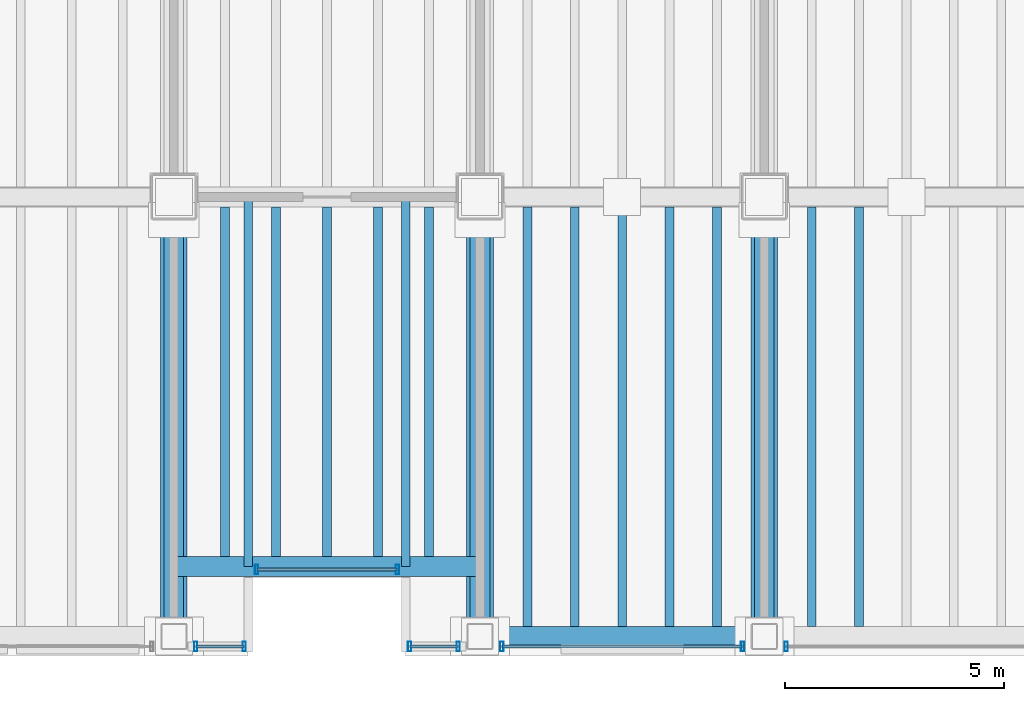
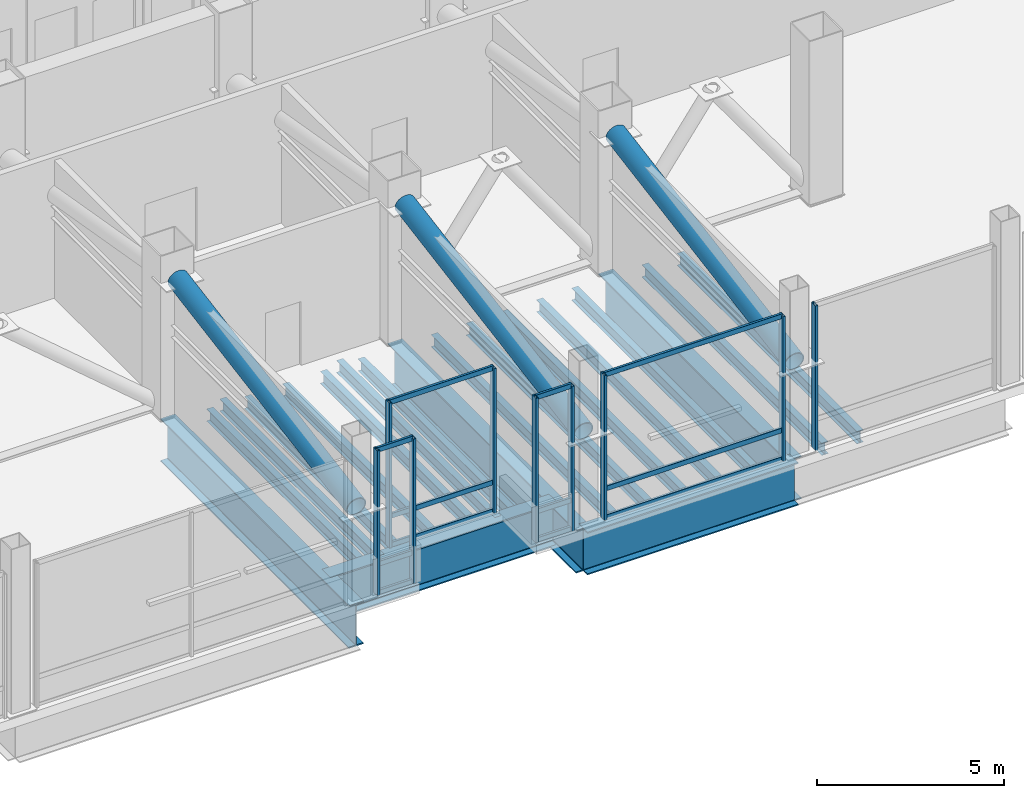
# One storey, part 5 of 20: 24 members, 19 beams, 5 elements without a shape of their own.
"""IFC4 building model written with IfcOpenShell, lengths in metres."""

import ifcopenshell
import ifcopenshell.guid

model = None  # the IFC model being written
_history = None  # IfcOwnerHistory: only IFC2X3 demands one
_inside = {}  # id of a spatial element -> (the spatial element, [elements in it])
_under = {}  # id of a project, library or spatial element -> (it, [spatial elements below it])
_declared = {}  # id of a project -> (the project, [libraries it declares])
_typed = {}  # id of a type object -> (the type object, [elements of that type])
_made_of = {}  # id of a material, layer set ... -> (it, [elements and type objects made of it])


def new_model(schema):
    """Start an empty IFC model of exactly this schema.

    Asked for "IFC4X3", IfcOpenShell would pick the latest addendum, in which some entities
    have other attributes; the version numbers below select the first issue.
    IFC2X3 requires an IfcOwnerHistory on every rooted entity: one is made here for all.
    """
    global model, _history
    if schema == "IFC4X3":
        model = ifcopenshell.file(schema_version=(4, 3, 0, 0))
    else:
        model = ifcopenshell.file(schema=schema)
    _inside.clear()
    _under.clear()
    _declared.clear()
    _typed.clear()
    _made_of.clear()
    _history = None
    if model.schema == "IFC2X3":
        org = make("IfcOrganization", Name="unknown")
        user = make(
            "IfcPersonAndOrganization",
            ThePerson=make("IfcPerson", FamilyName="unknown"),
            TheOrganization=org,
        )
        app = make(
            "IfcApplication",
            ApplicationDeveloper=org,
            Version="unknown",
            ApplicationFullName="unknown",
            ApplicationIdentifier="unknown",
        )
        _history = make(
            "IfcOwnerHistory",
            OwningUser=user,
            OwningApplication=app,
            ChangeAction="ADDED",
            CreationDate=0,
        )
    return model


def make(cls, **values):
    """One entity of the class cls with the attributes given. An attribute that is None is left unset."""
    return model.create_entity(
        cls, **{name: value for name, value in values.items() if value is not None}
    )


def rooted(cls, **values):
    """An entity with a GlobalId (a new one), such as an element, a storey or a relation."""
    return make(cls, GlobalId=ifcopenshell.guid.new(), OwnerHistory=_history, **values)


def si_unit(unit_type, name, prefix=None):
    """IfcSIUnit, for example si_unit("LENGTHUNIT", "METRE", prefix="MILLI")."""
    return make("IfcSIUnit", UnitType=unit_type, Prefix=prefix, Name=name)


def assignment(units):
    """IfcUnitAssignment: the units of a project."""
    return None if units is None else make("IfcUnitAssignment", Units=units)


def point(xyz):
    """IfcCartesianPoint."""
    return None if xyz is None else make("IfcCartesianPoint", Coordinates=xyz)


def direction(xyz):
    """IfcDirection."""
    return None if xyz is None else make("IfcDirection", DirectionRatios=xyz)


def frame(location, z_axis=None, x_axis=None):
    """IfcAxis2Placement3D, a coordinate frame: its origin and axes. An axis left out is left unset."""
    return make(
        "IfcAxis2Placement3D",
        Location=point(location),
        Axis=direction(z_axis),
        RefDirection=direction(x_axis),
    )


def frame_2d(location, x_axis=None):
    """IfcAxis2Placement2D, a coordinate frame in the plane: its origin and x axis."""
    return make(
        "IfcAxis2Placement2D", Location=point(location), RefDirection=direction(x_axis)
    )


def origin():
    """The frame at (0, 0, 0) with its axes left unset."""
    return frame((0.0, 0.0, 0.0))


def origin_2d():
    """The frame at (0, 0) in the plane with its x axis left unset."""
    return frame_2d((0.0, 0.0))


def place(relative_to, where):
    """IfcLocalPlacement: puts the frame where relative to a parent placement (None: the world)."""
    return make(
        "IfcLocalPlacement", PlacementRelTo=relative_to, RelativePlacement=where
    )


def context(
    kind, dimensions, precision=None, world=None, true_north=None, identifier=None
):
    """IfcGeometricRepresentationContext, for example the 3D "Model" context."""
    return make(
        "IfcGeometricRepresentationContext",
        ContextIdentifier=identifier,
        ContextType=kind,
        CoordinateSpaceDimension=dimensions,
        Precision=precision,
        WorldCoordinateSystem=world,
        TrueNorth=true_north,
    )


def subcontext(parent, identifier, kind, view, scale=None):
    """IfcGeometricRepresentationSubContext, for example "Body" below "Model"."""
    return make(
        "IfcGeometricRepresentationSubContext",
        ContextIdentifier=identifier,
        ContextType=kind,
        ParentContext=parent,
        TargetScale=scale,
        TargetView=view,
    )


def project(units=None, contexts=None):
    """IfcProject with its units and contexts."""
    return rooted(
        "IfcProject",
        Name="project",
        RepresentationContexts=contexts,
        UnitsInContext=assignment(units),
    )


def spatial(cls, under=None, at=None, **own):
    """A site, building, storey or space (cls), placed at a placement, below another one or the project."""
    s = rooted(cls, ObjectPlacement=at, **own)
    if under is not None:
        _under.setdefault(under.id(), (under, []))[1].append(s)
    return s


def profile(cls, at=None, kind="AREA", **sizes):
    """A parametric profile (cls). Its sizes go by their IFC names, for example OverallWidth=200.0."""
    return make(cls, ProfileType=kind, Position=at, **sizes)


def hollow_rectangle(**sizes):
    """IfcRectangleHollowProfileDef."""
    return profile("IfcRectangleHollowProfileDef", **sizes)


def hollow_circle(**sizes):
    """IfcCircleHollowProfileDef."""
    return profile("IfcCircleHollowProfileDef", **sizes)


def i_section(**sizes):
    """IfcIShapeProfileDef."""
    return profile("IfcIShapeProfileDef", **sizes)


def extrude(swept, where, along, depth):
    """IfcExtrudedAreaSolid: the profile swept, set in the frame where, extruded along a direction by depth."""
    return make(
        "IfcExtrudedAreaSolid",
        SweptArea=swept,
        Position=where,
        ExtrudedDirection=direction(along),
        Depth=depth,
    )


def shape(context_of_items, identifier, shape_type, items):
    """IfcShapeRepresentation: the items that make up one representation, for example the "Body"."""
    return make(
        "IfcShapeRepresentation",
        ContextOfItems=context_of_items,
        RepresentationIdentifier=identifier,
        RepresentationType=shape_type,
        Items=items,
    )


def material(Name=None, Category=None):
    """IfcMaterial."""
    return make("IfcMaterial", Name=Name, Category=Category)


def material_profile(
    of_material, cross_section, Name=None, Category=None, Priority=None
):
    """IfcMaterialProfile: a cross section and its material."""
    return make(
        "IfcMaterialProfile",
        Name=Name,
        Material=of_material,
        Profile=cross_section,
        Priority=Priority,
        Category=Category,
    )


def profile_set(profiles, Name=None, composite=None):
    """IfcMaterialProfileSet."""
    return make(
        "IfcMaterialProfileSet",
        Name=Name,
        MaterialProfiles=profiles,
        CompositeProfile=composite,
    )


def made_of(thing, what):
    """Note that an element or type object is made of a material, layer set ...; save() writes the relation."""
    if what is not None:
        _made_of.setdefault(what.id(), (what, []))[1].append(thing)
    return thing


def type_object(cls, material=None, **own):
    """A type object (cls), such as IfcWallType, which elements share."""
    return made_of(rooted(cls, **own), material)


def element(
    cls,
    number,
    at=None,
    inside=None,
    cuts=None,
    type_object=None,
    material=None,
    context=None,
    identifier="Body",
    shape_type=None,
    held_by="IfcProductDefinitionShape",
    body=None,
    shapes=None,
    **own,
):
    """One element of the class cls, such as IfcWall. Its Tag is "e" and its number.

    at: its placement. inside: the storey or other place that contains it. cuts: it is an
    opening in that element (IfcRelVoidsElement). A single representation is given by context,
    identifier, shape_type and body (its items); several are given by shapes. held_by: the class
    of the entity that holds the representations. save() writes the other relations.
    """
    e = rooted(cls, Tag="e%d" % number, ObjectPlacement=at, **own)
    if body is not None:
        shapes = [shape(context, identifier, shape_type, body)]
    if shapes is not None:
        e.Representation = make(held_by, Representations=shapes)
    if inside is not None:
        _inside.setdefault(inside.id(), (inside, []))[1].append(e)
    if cuts is not None:
        rooted(
            "IfcRelVoidsElement", RelatingBuildingElement=cuts, RelatedOpeningElement=e
        )
    if type_object is not None:
        _typed.setdefault(type_object.id(), (type_object, []))[1].append(e)
    return made_of(e, material)


def aggregate(whole, parts):
    """IfcRelAggregates: a whole, such as a stair, and the parts it consists of."""
    return rooted("IfcRelAggregates", RelatingObject=whole, RelatedObjects=parts)


def save(model, path):
    """Write the relations noted so far, then the file.

    IfcRelAggregates (storeys below a building ...), IfcRelContainedInSpatialStructure (elements
    in a storey), IfcRelDefinesByType, IfcRelAssociatesMaterial and IfcRelDeclares: one each for
    every whole, place, type object, material and project.
    """
    for whole, parts in _under.values():
        aggregate(whole, parts)
    for where, things in _inside.values():
        rooted(
            "IfcRelContainedInSpatialStructure",
            RelatedElements=things,
            RelatingStructure=where,
        )
    for kind, things in _typed.values():
        rooted("IfcRelDefinesByType", RelatedObjects=things, RelatingType=kind)
    for what, things in _made_of.values():
        rooted("IfcRelAssociatesMaterial", RelatedObjects=things, RelatingMaterial=what)
    for by, libraries in _declared.values():
        rooted("IfcRelDeclares", RelatingContext=by, RelatedDefinitions=libraries)
    model.write(path)


model = new_model("IFC4")

# Units and contexts
model_context = context("Model", 3, precision=1e-05, world=origin(), true_north=direction((0.0, 1.0)))
body_context = subcontext(model_context, "Body", "Model", "MODEL_VIEW")
ifc_project = project(units=[si_unit("LENGTHUNIT", "METRE"), si_unit("AREAUNIT", "SQUARE_METRE"), si_unit("VOLUMEUNIT", "CUBIC_METRE"), si_unit("PLANEANGLEUNIT", "RADIAN"), si_unit("MASSUNIT", "GRAM", prefix="KILO")], contexts=[model_context])

# Site, building, storey
site_placement = place(None, origin())
site = spatial("IfcSite", under=ifc_project, at=site_placement, CompositionType="ELEMENT")
building_placement = place(site_placement, origin())
building = spatial("IfcBuilding", under=site, at=building_placement, Name="Noeulbin Bourse Tower", CompositionType="ELEMENT")
storey_placement = place(building_placement, frame((0.0, 0.0, 100.60009765625)))
storey = spatial("IfcBuildingStorey", under=building, at=storey_placement, Name="L25", CompositionType="ELEMENT", Elevation=100.60009765625)

# Beams
ifc_material_1 = material(Name="Steel S355", Category="steel")
ifc_material_profile_1 = material_profile(ifc_material_1, i_section(OverallWidth=0.199951171875, OverallDepth=0.39990234375, WebThickness=0.008056640625, FlangeThickness=0.012939453125, FilletRadius=0.01611328125, at=origin_2d()), Name="H-400x200x8x13", Category="LoadBearing")
ifc_profile_set_1 = profile_set([ifc_material_profile_1], Name="Steel S355")
beam_type_1 = type_object("IfcBeamType", Name="BM-SEC-400", PredefinedType="BEAM", material=ifc_profile_set_1)
for number, where, z_axis, x_axis, name in (
    (1, (25.699951171875, 11.550048828125, -0.5), (0.0, 1.0, 0.0), (-1.0, 0.0, 0.0), "BM-L25-SRT-W"),
    (2, (29.300048828125, 11.550048828125, -0.5), (0.0, 1.0, 0.0), (-1.0, 0.0, 0.0), "BM-L25-SRT-E"),
):
    element("IfcBeam", number, at=place(storey_placement, frame(where, z_axis=z_axis, x_axis=x_axis)), inside=storey, type_object=beam_type_1, Name=name, PredefinedType="BEAM", context=body_context, shape_type="SweptSolid", body=[
        extrude(i_section(OverallWidth=0.199951171875, OverallDepth=0.39990234375, WebThickness=0.008056640625, FlangeThickness=0.012939453125, FilletRadius=0.01611328125, at=origin_2d()), origin(), (0.0, 0.0, 1.0), 8.449951171875),
    ])
for number, where, z_axis, x_axis, name in (
    (3, (25.166748046875, 11.77490234375, -0.5), (0.0, 1.0, 0.0), (-1.0, 0.0, 0.0), "Tower Composite Joist L25-25"),
    (4, (26.333251953125, 11.77490234375, -0.5), (0.0, 1.0, 0.0), (-1.0, 0.0, 0.0), "Tower Composite Joist L25-28"),
    (5, (27.5, 11.77490234375, -0.5), (0.0, 1.0, 0.0), (-1.0, 0.0, 0.0), "Tower Composite Joist L25-31"),
    (6, (28.666748046875, 11.77490234375, -0.5), (0.0, 1.0, 0.0), (-1.0, 0.0, 0.0), "Tower Composite Joist L25-34"),
    (7, (29.833251953125, 11.77490234375, -0.5), (0.0, 1.0, 0.0), (-1.0, 0.0, 0.0), "Tower Composite Joist L25-37"),
):
    element("IfcBeam", number, at=place(storey_placement, frame(where, z_axis=z_axis, x_axis=x_axis)), inside=storey, type_object=beam_type_1, Name=name, PredefinedType="BEAM", context=body_context, shape_type="SweptSolid", body=[
        extrude(i_section(OverallWidth=0.199951171875, OverallDepth=0.39990234375, WebThickness=0.008056640625, FlangeThickness=0.012939453125, FilletRadius=0.01611328125, at=origin_2d()), origin(), (0.0, 0.0, 1.0), 8.0),
    ])
for number, where, z_axis, x_axis, name in (
    (8, (32.083251953125, 10.175048828125, -0.5), (0.0, 1.0, 0.0), (-1.0, 0.0, 0.0), "Tower Composite Joist L25-40"),
    (9, (33.166748046875, 10.175048828125, -0.5), (0.0, 1.0, 0.0), (-1.0, 0.0, 0.0), "Tower Composite Joist L25-43"),
    (10, (34.25, 10.175048828125, -0.5), (0.0, 1.0, 0.0), (-1.0, 0.0, 0.0), "Tower Composite Joist L25-46"),
    (11, (35.333251953125, 10.175048828125, -0.5), (0.0, 1.0, 0.0), (-1.0, 0.0, 0.0), "Tower Composite Joist L25-49"),
    (12, (36.416748046875, 10.175048828125, -0.5), (0.0, 1.0, 0.0), (-1.0, 0.0, 0.0), "Tower Composite Joist L25-52"),
    (13, (38.583251953125, 10.175048828125, -0.5), (0.0, 1.0, 0.0), (-1.0, 0.0, 0.0), "Tower Composite Joist L25-55"),
    (14, (39.666748046875, 10.175048828125, -0.5), (0.0, 1.0, 0.0), (-1.0, 0.0, 0.0), "Tower Composite Joist L25-58"),
):
    element("IfcBeam", number, at=place(storey_placement, frame(where, z_axis=z_axis, x_axis=x_axis)), inside=storey, type_object=beam_type_1, Name=name, PredefinedType="BEAM", context=body_context, shape_type="SweptSolid", body=[
        extrude(i_section(OverallWidth=0.199951171875, OverallDepth=0.39990234375, WebThickness=0.008056640625, FlangeThickness=0.012939453125, FilletRadius=0.01611328125, at=origin_2d()), origin(), (0.0, 0.0, 1.0), 9.599853515625),
    ])
ifc_material_2 = material(Name="Steel S460", Category="steel")
ifc_material_profile_2 = material_profile(ifc_material_2, i_section(OverallWidth=0.449951171875, OverallDepth=1.39990234375, WebThickness=0.02392578125, FlangeThickness=0.0400390625, FilletRadius=0.02392578125, at=origin_2d()), Name="PG-1400x450x24x40", Category="LoadBearing")
ifc_profile_set_2 = profile_set([ifc_material_profile_2], Name="Steel S460")
beam_type_2 = type_object("IfcBeamType", Name="BM-TRF-1400", PredefinedType="USERDEFINED", material=ifc_profile_set_2)
for number, where, z_axis, x_axis, name in (
    (15, (24.0, 9.949951171875, -1.0), (0.0, 1.0, 0.0), (-1.0, 0.0, 0.0), "Tower Primary Girder NS L25-2.1"),
    (16, (31.0, 9.949951171875, -1.0), (0.0, 1.0, 0.0), (-1.0, 0.0, 0.0), "Tower Primary Girder NS L25-3.1"),
    (17, (37.5, 9.949951171875, -1.0), (0.0, 1.0, 0.0), (-1.0, 0.0, 0.0), "Tower Primary Girder NS L25-4.1"),
):
    element("IfcBeam", number, at=place(storey_placement, frame(where, z_axis=z_axis, x_axis=x_axis)), inside=storey, type_object=beam_type_2, Name=name, ObjectType="GIRDER", PredefinedType="USERDEFINED", context=body_context, shape_type="SweptSolid", body=[
        extrude(i_section(OverallWidth=0.449951171875, OverallDepth=1.39990234375, WebThickness=0.02392578125, FlangeThickness=0.0400390625, FilletRadius=0.02392578125, at=origin_2d()), origin(), (0.0, 0.0, 1.0), 10.050048828125),
    ])
beam_1_placement = place(storey_placement, frame((24.0, 11.550048828125, -1.0), z_axis=(1.0, 0.0, 0.0), x_axis=(0.0, 1.0, 0.0)))
element("IfcBeam", 18, at=beam_1_placement, inside=storey, type_object=beam_type_2, Name="South Recess Spandrel L25-2B", ObjectType="GIRDER", PredefinedType="USERDEFINED", context=body_context, shape_type="SweptSolid", body=[
    extrude(i_section(OverallWidth=0.449951171875, OverallDepth=1.39990234375, WebThickness=0.02392578125, FlangeThickness=0.0400390625, FilletRadius=0.02392578125, at=origin_2d()), origin(), (0.0, 0.0, 1.0), 7.0),
])
beam_2_placement = place(storey_placement, frame((31.0, 9.949951171875, -1.0), z_axis=(1.0, 0.0, 0.0), x_axis=(0.0, 1.0, 0.0)))
element("IfcBeam", 19, at=beam_2_placement, inside=storey, type_object=beam_type_2, Name="South Spandrel L25-3", ObjectType="GIRDER", PredefinedType="USERDEFINED", context=body_context, shape_type="SweptSolid", body=[
    extrude(i_section(OverallWidth=0.449951171875, OverallDepth=1.39990234375, WebThickness=0.02392578125, FlangeThickness=0.0400390625, FilletRadius=0.02392578125, at=origin_2d()), origin(), (0.0, 0.0, 1.0), 6.5),
])

# Curtain wall, members
ifc_material_3 = material(Name="Translucent Ceramic-Fritted Glass", Category="glass")
curtain_wall_type = type_object("IfcCurtainWallType", Name="CW-SYS-5", PredefinedType="NOTDEFINED", material=ifc_material_3)
curtain_wall_1_placement = place(storey_placement, origin())
curtain_wall_1 = element("IfcCurtainWall", 20, at=curtain_wall_1_placement, inside=storey, type_object=curtain_wall_type, Name="Unitised Curtain Wall CW-L25-SREC", PredefinedType="NOTDEFINED")
ifc_material_4 = material(Name="Anodised Aluminium 6063-T6", Category="aluminium")
ifc_material_profile_3 = material_profile(ifc_material_4, hollow_rectangle(XDim=0.074951171875, YDim=0.219970703125, WallThickness=0.0048828125, InnerFilletRadius=0.00244140625, OuterFilletRadius=0.0048828125, at=origin_2d()), Name="ALU-MULL-75x220x5", Category="LoadBearing")
ifc_profile_set_3 = profile_set([ifc_material_profile_3], Name="Anodised Aluminium 6063-T6")
member_type_1 = type_object("IfcMemberType", Name="CW-SYS-5-MUL", PredefinedType="MULLION", material=ifc_profile_set_3)
member_1_placement = place(storey_placement, frame((25.889892578125, 11.47998046875, -0.02001953125), z_axis=(0.0, 0.0, 1.0), x_axis=(1.0, 0.0, 0.0)))
member_1 = element("IfcMember", 21, at=member_1_placement, type_object=member_type_1, Name="Curtain Wall Mullion CW-L25-SREC-M00", PredefinedType="MULLION", context=body_context, shape_type="SweptSolid", body=[
    extrude(hollow_rectangle(XDim=0.074951171875, YDim=0.219970703125, WallThickness=0.0048828125, InnerFilletRadius=0.00244140625, OuterFilletRadius=0.0048828125, at=origin_2d()), origin(), (0.0, 0.0, 1.0), 4.719970703125),
])
member_2_placement = place(storey_placement, frame((29.110107421875, 11.47998046875, -0.02001953125), z_axis=(0.0, 0.0, 1.0), x_axis=(1.0, 0.0, 0.0)))
member_2 = element("IfcMember", 22, at=member_2_placement, type_object=member_type_1, Name="Curtain Wall Mullion CW-L25-SREC-M01", PredefinedType="MULLION", context=body_context, shape_type="SweptSolid", body=[
    extrude(hollow_rectangle(XDim=0.074951171875, YDim=0.219970703125, WallThickness=0.0048828125, InnerFilletRadius=0.00244140625, OuterFilletRadius=0.0048828125, at=origin_2d()), origin(), (0.0, 0.0, 1.0), 4.719970703125),
])

curtain_wall_2_placement = place(storey_placement, origin())
curtain_wall_2 = element("IfcCurtainWall", 23, at=curtain_wall_2_placement, inside=storey, type_object=curtain_wall_type, Name="Unitised Curtain Wall CW-L25-S1-S3", PredefinedType="NOTDEFINED")
member_3_placement = place(storey_placement, frame((24.5, 9.719970703125, -0.02001953125), z_axis=(0.0, 0.0, 1.0), x_axis=(1.0, 0.0, 0.0)))
member_3 = element("IfcMember", 24, at=member_3_placement, type_object=member_type_1, Name="Curtain Wall Mullion CW-L25-S1-S3-M00", PredefinedType="MULLION", context=body_context, shape_type="SweptSolid", body=[
    extrude(hollow_rectangle(XDim=0.074951171875, YDim=0.219970703125, WallThickness=0.0048828125, InnerFilletRadius=0.00244140625, OuterFilletRadius=0.0048828125, at=origin_2d()), origin(), (0.0, 0.0, 1.0), 4.719970703125),
])
member_4_placement = place(storey_placement, frame((25.610107421875, 9.719970703125, -0.02001953125), z_axis=(0.0, 0.0, 1.0), x_axis=(1.0, 0.0, 0.0)))
member_4 = element("IfcMember", 25, at=member_4_placement, type_object=member_type_1, Name="Curtain Wall Mullion CW-L25-S1-S3-M01", PredefinedType="MULLION", context=body_context, shape_type="SweptSolid", body=[
    extrude(hollow_rectangle(XDim=0.074951171875, YDim=0.219970703125, WallThickness=0.0048828125, InnerFilletRadius=0.00244140625, OuterFilletRadius=0.0048828125, at=origin_2d()), origin(), (0.0, 0.0, 1.0), 4.719970703125),
])

curtain_wall_3_placement = place(storey_placement, origin())
curtain_wall_3 = element("IfcCurtainWall", 26, at=curtain_wall_3_placement, inside=storey, type_object=curtain_wall_type, Name="Unitised Curtain Wall CW-L25-S2-S1", PredefinedType="NOTDEFINED")
member_5_placement = place(storey_placement, frame((29.389892578125, 9.719970703125, -0.02001953125), z_axis=(0.0, 0.0, 1.0), x_axis=(1.0, 0.0, 0.0)))
member_5 = element("IfcMember", 27, at=member_5_placement, type_object=member_type_1, Name="Curtain Wall Mullion CW-L25-S2-S1-M00", PredefinedType="MULLION", context=body_context, shape_type="SweptSolid", body=[
    extrude(hollow_rectangle(XDim=0.074951171875, YDim=0.219970703125, WallThickness=0.0048828125, InnerFilletRadius=0.00244140625, OuterFilletRadius=0.0048828125, at=origin_2d()), origin(), (0.0, 0.0, 1.0), 4.719970703125),
])
member_6_placement = place(storey_placement, frame((30.5, 9.719970703125, -0.02001953125), z_axis=(0.0, 0.0, 1.0), x_axis=(1.0, 0.0, 0.0)))
member_6 = element("IfcMember", 28, at=member_6_placement, type_object=member_type_1, Name="Curtain Wall Mullion CW-L25-S2-S1-M01", PredefinedType="MULLION", context=body_context, shape_type="SweptSolid", body=[
    extrude(hollow_rectangle(XDim=0.074951171875, YDim=0.219970703125, WallThickness=0.0048828125, InnerFilletRadius=0.00244140625, OuterFilletRadius=0.0048828125, at=origin_2d()), origin(), (0.0, 0.0, 1.0), 4.719970703125),
])

curtain_wall_4_placement = place(storey_placement, origin())
curtain_wall_4 = element("IfcCurtainWall", 29, at=curtain_wall_4_placement, inside=storey, type_object=curtain_wall_type, Name="Unitised Curtain Wall CW-L25-S2-S2", PredefinedType="NOTDEFINED")
member_7_placement = place(storey_placement, frame((31.5, 9.719970703125, -0.02001953125), z_axis=(0.0, 0.0, 1.0), x_axis=(1.0, 0.0, 0.0)))
member_7 = element("IfcMember", 30, at=member_7_placement, type_object=member_type_1, Name="Curtain Wall Mullion CW-L25-S2-S2-M00", PredefinedType="MULLION", context=body_context, shape_type="SweptSolid", body=[
    extrude(hollow_rectangle(XDim=0.074951171875, YDim=0.219970703125, WallThickness=0.0048828125, InnerFilletRadius=0.00244140625, OuterFilletRadius=0.0048828125, at=origin_2d()), origin(), (0.0, 0.0, 1.0), 4.719970703125),
])
member_8_placement = place(storey_placement, frame((37.0, 9.719970703125, -0.02001953125), z_axis=(0.0, 0.0, 1.0), x_axis=(1.0, 0.0, 0.0)))
member_8 = element("IfcMember", 31, at=member_8_placement, type_object=member_type_1, Name="Curtain Wall Mullion CW-L25-S2-S2-M01", PredefinedType="MULLION", context=body_context, shape_type="SweptSolid", body=[
    extrude(hollow_rectangle(XDim=0.074951171875, YDim=0.219970703125, WallThickness=0.0048828125, InnerFilletRadius=0.00244140625, OuterFilletRadius=0.0048828125, at=origin_2d()), origin(), (0.0, 0.0, 1.0), 4.719970703125),
])

# Curtain wall, member
curtain_wall_5_placement = place(storey_placement, origin())
curtain_wall_5 = element("IfcCurtainWall", 32, at=curtain_wall_5_placement, inside=storey, type_object=curtain_wall_type, Name="Unitised Curtain Wall CW-L25-S2-S3", PredefinedType="NOTDEFINED")
member_9_placement = place(storey_placement, frame((38.0, 9.719970703125, -0.02001953125), z_axis=(0.0, 0.0, 1.0), x_axis=(1.0, 0.0, 0.0)))
member_9 = element("IfcMember", 33, at=member_9_placement, type_object=member_type_1, Name="Curtain Wall Mullion CW-L25-S2-S3-M00", PredefinedType="MULLION", context=body_context, shape_type="SweptSolid", body=[
    extrude(hollow_rectangle(XDim=0.074951171875, YDim=0.219970703125, WallThickness=0.0048828125, InnerFilletRadius=0.00244140625, OuterFilletRadius=0.0048828125, at=origin_2d()), origin(), (0.0, 0.0, 1.0), 4.719970703125),
])
aggregate(curtain_wall_5, [member_9])

# Member
ifc_material_profile_4 = material_profile(ifc_material_4, hollow_rectangle(XDim=0.074951171875, YDim=0.159912109375, WallThickness=0.0048828125, InnerFilletRadius=0.00244140625, OuterFilletRadius=0.0048828125, at=origin_2d()), Name="ALU-TRAN-75x160x5", Category="LoadBearing")
ifc_profile_set_4 = profile_set([ifc_material_profile_4], Name="Anodised Aluminium 6063-T6")
member_type_2 = type_object("IfcMemberType", Name="CW-SYS-5-TRN", PredefinedType="USERDEFINED", material=ifc_profile_set_4)
member_10_placement = place(storey_placement, frame((25.89990234375, 11.47998046875, 0.010009765625), z_axis=(1.0, 0.0, 0.0), x_axis=(0.0, 1.0, 0.0)))
member_10 = element("IfcMember", 34, at=member_10_placement, type_object=member_type_2, Name="Curtain Wall Transom CW-L25-SREC-T00", ObjectType="TRANSOM", PredefinedType="USERDEFINED", context=body_context, shape_type="SweptSolid", body=[
    extrude(hollow_rectangle(XDim=0.074951171875, YDim=0.159912109375, WallThickness=0.0048828125, InnerFilletRadius=0.00244140625, OuterFilletRadius=0.0048828125, at=origin_2d()), origin(), (0.0, 0.0, 1.0), 3.2001953125),
])

member_11_placement = place(storey_placement, frame((25.89990234375, 11.47998046875, 0.949951171875), z_axis=(1.0, 0.0, 0.0), x_axis=(0.0, 1.0, 0.0)))
member_11 = element("IfcMember", 35, at=member_11_placement, type_object=member_type_2, Name="Curtain Wall Transom CW-L25-SREC-T01", ObjectType="TRANSOM", PredefinedType="USERDEFINED", context=body_context, shape_type="SweptSolid", body=[
    extrude(hollow_rectangle(XDim=0.074951171875, YDim=0.159912109375, WallThickness=0.0048828125, InnerFilletRadius=0.00244140625, OuterFilletRadius=0.0048828125, at=origin_2d()), origin(), (0.0, 0.0, 1.0), 3.2001953125),
])

member_12_placement = place(storey_placement, frame((25.89990234375, 11.47998046875, 4.669921875), z_axis=(1.0, 0.0, 0.0), x_axis=(0.0, 1.0, 0.0)))
member_12 = element("IfcMember", 36, at=member_12_placement, type_object=member_type_2, Name="Curtain Wall Transom CW-L25-SREC-T02", ObjectType="TRANSOM", PredefinedType="USERDEFINED", context=body_context, shape_type="SweptSolid", body=[
    extrude(hollow_rectangle(XDim=0.074951171875, YDim=0.159912109375, WallThickness=0.0048828125, InnerFilletRadius=0.00244140625, OuterFilletRadius=0.0048828125, at=origin_2d()), origin(), (0.0, 0.0, 1.0), 3.2001953125),
])

aggregate(curtain_wall_1, [member_1, member_2, member_10, member_11, member_12])

member_13_placement = place(storey_placement, frame((24.510009765625, 9.719970703125, 0.010009765625), z_axis=(1.0, 0.0, 0.0), x_axis=(0.0, 1.0, 0.0)))
member_13 = element("IfcMember", 37, at=member_13_placement, type_object=member_type_2, Name="Curtain Wall Transom CW-L25-S1-S3-T00", ObjectType="TRANSOM", PredefinedType="USERDEFINED", context=body_context, shape_type="SweptSolid", body=[
    extrude(hollow_rectangle(XDim=0.074951171875, YDim=0.159912109375, WallThickness=0.0048828125, InnerFilletRadius=0.00244140625, OuterFilletRadius=0.0048828125, at=origin_2d()), origin(), (0.0, 0.0, 1.0), 1.090087890625),
])

member_14_placement = place(storey_placement, frame((24.510009765625, 9.719970703125, 0.949951171875), z_axis=(1.0, 0.0, 0.0), x_axis=(0.0, 1.0, 0.0)))
member_14 = element("IfcMember", 38, at=member_14_placement, type_object=member_type_2, Name="Curtain Wall Transom CW-L25-S1-S3-T01", ObjectType="TRANSOM", PredefinedType="USERDEFINED", context=body_context, shape_type="SweptSolid", body=[
    extrude(hollow_rectangle(XDim=0.074951171875, YDim=0.159912109375, WallThickness=0.0048828125, InnerFilletRadius=0.00244140625, OuterFilletRadius=0.0048828125, at=origin_2d()), origin(), (0.0, 0.0, 1.0), 1.090087890625),
])

member_15_placement = place(storey_placement, frame((24.510009765625, 9.719970703125, 4.669921875), z_axis=(1.0, 0.0, 0.0), x_axis=(0.0, 1.0, 0.0)))
member_15 = element("IfcMember", 39, at=member_15_placement, type_object=member_type_2, Name="Curtain Wall Transom CW-L25-S1-S3-T02", ObjectType="TRANSOM", PredefinedType="USERDEFINED", context=body_context, shape_type="SweptSolid", body=[
    extrude(hollow_rectangle(XDim=0.074951171875, YDim=0.159912109375, WallThickness=0.0048828125, InnerFilletRadius=0.00244140625, OuterFilletRadius=0.0048828125, at=origin_2d()), origin(), (0.0, 0.0, 1.0), 1.090087890625),
])

aggregate(curtain_wall_2, [member_3, member_4, member_13, member_14, member_15])

member_16_placement = place(storey_placement, frame((29.39990234375, 9.719970703125, 0.010009765625), z_axis=(1.0, 0.0, 0.0), x_axis=(0.0, 1.0, 0.0)))
member_16 = element("IfcMember", 40, at=member_16_placement, type_object=member_type_2, Name="Curtain Wall Transom CW-L25-S2-S1-T00", ObjectType="TRANSOM", PredefinedType="USERDEFINED", context=body_context, shape_type="SweptSolid", body=[
    extrude(hollow_rectangle(XDim=0.074951171875, YDim=0.159912109375, WallThickness=0.0048828125, InnerFilletRadius=0.00244140625, OuterFilletRadius=0.0048828125, at=origin_2d()), origin(), (0.0, 0.0, 1.0), 1.090087890625),
])

member_17_placement = place(storey_placement, frame((29.39990234375, 9.719970703125, 0.949951171875), z_axis=(1.0, 0.0, 0.0), x_axis=(0.0, 1.0, 0.0)))
member_17 = element("IfcMember", 41, at=member_17_placement, type_object=member_type_2, Name="Curtain Wall Transom CW-L25-S2-S1-T01", ObjectType="TRANSOM", PredefinedType="USERDEFINED", context=body_context, shape_type="SweptSolid", body=[
    extrude(hollow_rectangle(XDim=0.074951171875, YDim=0.159912109375, WallThickness=0.0048828125, InnerFilletRadius=0.00244140625, OuterFilletRadius=0.0048828125, at=origin_2d()), origin(), (0.0, 0.0, 1.0), 1.090087890625),
])

member_18_placement = place(storey_placement, frame((29.39990234375, 9.719970703125, 4.669921875), z_axis=(1.0, 0.0, 0.0), x_axis=(0.0, 1.0, 0.0)))
member_18 = element("IfcMember", 42, at=member_18_placement, type_object=member_type_2, Name="Curtain Wall Transom CW-L25-S2-S1-T02", ObjectType="TRANSOM", PredefinedType="USERDEFINED", context=body_context, shape_type="SweptSolid", body=[
    extrude(hollow_rectangle(XDim=0.074951171875, YDim=0.159912109375, WallThickness=0.0048828125, InnerFilletRadius=0.00244140625, OuterFilletRadius=0.0048828125, at=origin_2d()), origin(), (0.0, 0.0, 1.0), 1.090087890625),
])

aggregate(curtain_wall_3, [member_5, member_6, member_16, member_17, member_18])

member_19_placement = place(storey_placement, frame((31.510009765625, 9.719970703125, 0.010009765625), z_axis=(1.0, 0.0, 0.0), x_axis=(0.0, 1.0, 0.0)))
member_19 = element("IfcMember", 43, at=member_19_placement, type_object=member_type_2, Name="Curtain Wall Transom CW-L25-S2-S2-T00", ObjectType="TRANSOM", PredefinedType="USERDEFINED", context=body_context, shape_type="SweptSolid", body=[
    extrude(hollow_rectangle(XDim=0.074951171875, YDim=0.159912109375, WallThickness=0.0048828125, InnerFilletRadius=0.00244140625, OuterFilletRadius=0.0048828125, at=origin_2d()), origin(), (0.0, 0.0, 1.0), 5.47998046875),
])

member_20_placement = place(storey_placement, frame((31.510009765625, 9.719970703125, 0.949951171875), z_axis=(1.0, 0.0, 0.0), x_axis=(0.0, 1.0, 0.0)))
member_20 = element("IfcMember", 44, at=member_20_placement, type_object=member_type_2, Name="Curtain Wall Transom CW-L25-S2-S2-T01", ObjectType="TRANSOM", PredefinedType="USERDEFINED", context=body_context, shape_type="SweptSolid", body=[
    extrude(hollow_rectangle(XDim=0.074951171875, YDim=0.159912109375, WallThickness=0.0048828125, InnerFilletRadius=0.00244140625, OuterFilletRadius=0.0048828125, at=origin_2d()), origin(), (0.0, 0.0, 1.0), 5.47998046875),
])

member_21_placement = place(storey_placement, frame((31.510009765625, 9.719970703125, 4.669921875), z_axis=(1.0, 0.0, 0.0), x_axis=(0.0, 1.0, 0.0)))
member_21 = element("IfcMember", 45, at=member_21_placement, type_object=member_type_2, Name="Curtain Wall Transom CW-L25-S2-S2-T02", ObjectType="TRANSOM", PredefinedType="USERDEFINED", context=body_context, shape_type="SweptSolid", body=[
    extrude(hollow_rectangle(XDim=0.074951171875, YDim=0.159912109375, WallThickness=0.0048828125, InnerFilletRadius=0.00244140625, OuterFilletRadius=0.0048828125, at=origin_2d()), origin(), (0.0, 0.0, 1.0), 5.47998046875),
])

aggregate(curtain_wall_4, [member_7, member_8, member_19, member_20, member_21])

# Members
ifc_material_profile_5 = material_profile(ifc_material_2, hollow_circle(Radius=0.3046875, WallThickness=0.028076171875, at=origin_2d()), Name="CHS-609.6x28.0", Category="LoadBearing")
ifc_profile_set_5 = profile_set([ifc_material_profile_5], Name="Steel S460")
member_type_3 = type_object("IfcMemberType", Name="MEM-OUT-610", PredefinedType="BRACE", material=ifc_profile_set_5)
for number, where, z_axis, x_axis, name in (
    (46, (24.0, 19.47509765625, 4.5), (0.0, -0.985323315895, -0.170698456802), (1.0, 0.0, 0.0), "Outrigger Truss Diagonal OT-L25-1B"),
    (47, (31.0, 19.47509765625, 4.5), (0.0, -0.985323315895, -0.170698456802), (1.0, 0.0, 0.0), "Outrigger Truss Diagonal OT-L25-2B"),
    (48, (37.5, 19.47509765625, 4.5), (0.0, -0.985323315895, -0.170698456802), (1.0, 0.0, 0.0), "Outrigger Truss Diagonal OT-L25-3B"),
):
    element("IfcMember", number, at=place(storey_placement, frame(where, z_axis=z_axis, x_axis=x_axis)), inside=storey, type_object=member_type_3, Name=name, PredefinedType="BRACE", context=body_context, shape_type="SweptSolid", body=[
        extrude(hollow_circle(Radius=0.3046875, WallThickness=0.028076171875, at=origin_2d()), origin(), (0.0, 0.0, 1.0), 9.6669921875),
    ])

save(model, "model.ifc")
